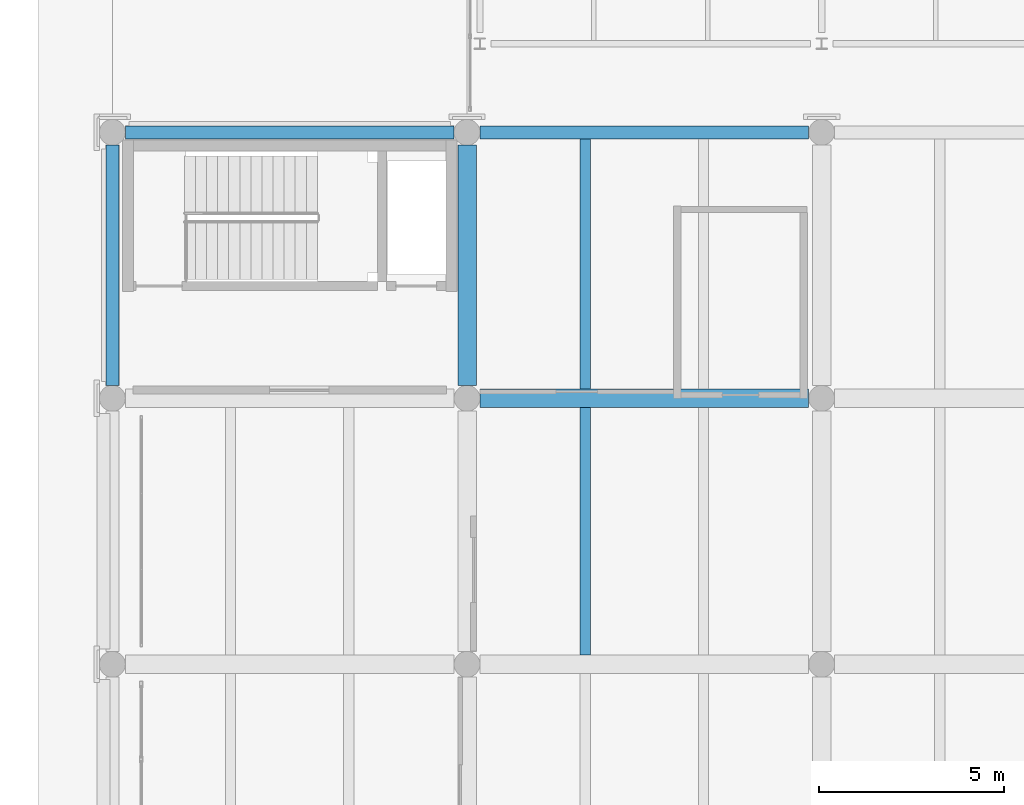
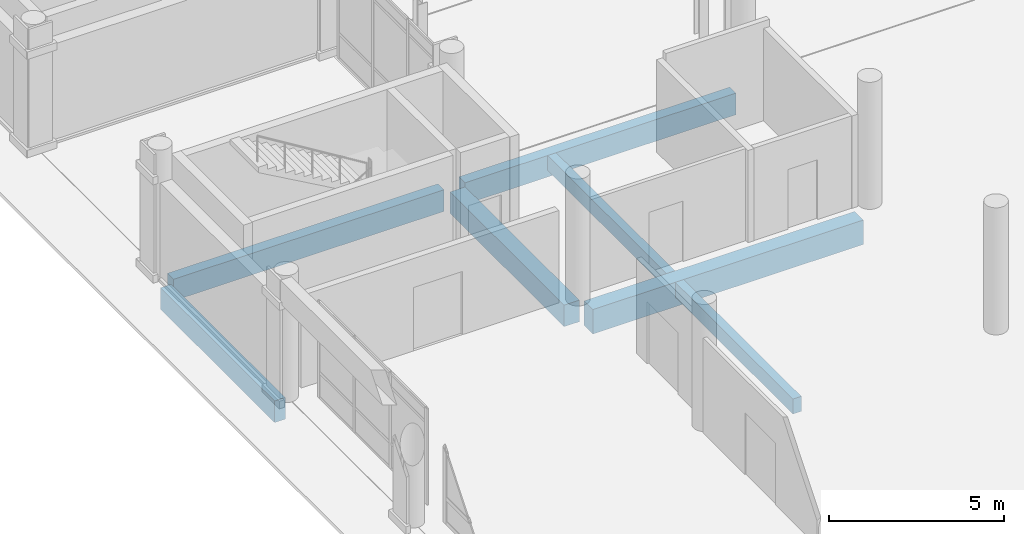
# One storey, part 29 of 196: 7 beams.
"""IFC4 building model written with IfcOpenShell, lengths in metres."""

from ifc_helpers import new_model, si_unit, direction, frame, origin, origin_2d, place, context, subcontext, project, spatial, rectangle, extrude, material, material_profile, profile_set, type_object, element, save


model = new_model("IFC4")

# Units and contexts
model_context = context("Model", 3, precision=1e-05, world=origin(), true_north=direction((0.0, 1.0)))
body_context = subcontext(model_context, "Body", "Model", "MODEL_VIEW")
ifc_project = project(units=[si_unit("LENGTHUNIT", "METRE"), si_unit("AREAUNIT", "SQUARE_METRE"), si_unit("VOLUMEUNIT", "CUBIC_METRE"), si_unit("PLANEANGLEUNIT", "RADIAN"), si_unit("MASSUNIT", "GRAM", prefix="KILO")], contexts=[model_context])

# Site, building, storey
site_placement = place(None, origin())
site = spatial("IfcSite", under=ifc_project, at=site_placement, CompositionType="ELEMENT")
building_placement = place(site_placement, origin())
building = spatial("IfcBuilding", under=site, at=building_placement, Name="Asteropetra Specialist Clinic", CompositionType="ELEMENT")
storey_placement = place(building_placement, origin())
storey = spatial("IfcBuildingStorey", under=building, at=storey_placement, Name="L00", CompositionType="ELEMENT", Elevation=0.0)

# Beams
ifc_material_1 = material(Name="Concrete C35/45", Category="concrete")
ifc_material_profile_1 = material_profile(ifc_material_1, rectangle(XDim=0.5, YDim=0.75, at=origin_2d()), Name="RCB 500x750")
ifc_profile_set_1 = profile_set([ifc_material_profile_1], Name="Concrete C35/45")
beam_type_1 = type_object("IfcBeamType", Name="BM-RC500x750", PredefinedType="BEAM", material=ifc_profile_set_1)
beam_1_placement = place(storey_placement, frame((9.60009765625, 19.550048828125, -0.715087890625), z_axis=(0.0, 1.0, 0.0), x_axis=(-1.0, 0.0, 0.0)))
element("IfcBeam", 1, at=beam_1_placement, inside=storey, type_object=beam_type_1, Name="Beam BBM04-0089", PredefinedType="BEAM", context=body_context, shape_type="SweptSolid", body=[
    extrude(rectangle(XDim=0.5, YDim=0.75, at=origin_2d()), origin(), (0.0, 0.0, 1.0), 6.5),
])
ifc_material_2 = material(Name="Concrete C35/45", Category="concrete")
ifc_material_profile_2 = material_profile(ifc_material_2, rectangle(XDim=0.5, YDim=0.85009765625, at=origin_2d()), Name="RCB 500x850")
ifc_profile_set_2 = profile_set([ifc_material_profile_2], Name="Concrete C35/45")
beam_type_2 = type_object("IfcBeamType", Name="BM-RC500x850", PredefinedType="BEAM", material=ifc_profile_set_2)
beam_2_placement = place(storey_placement, frame((9.949951171875, 19.199951171875, -0.764892578125), z_axis=(1.0, 0.0, 0.0), x_axis=(0.0, 1.0, 0.0)))
element("IfcBeam", 2, at=beam_2_placement, inside=storey, type_object=beam_type_2, Name="Beam BBM03-0020", PredefinedType="BEAM", context=body_context, shape_type="SweptSolid", body=[
    extrude(rectangle(XDim=0.5, YDim=0.85009765625, at=origin_2d()), origin(), (0.0, 0.0, 1.0), 8.900146484375),
])
ifc_material_3 = material(Name="Concrete C35/45", Category="concrete")
ifc_material_profile_3 = material_profile(ifc_material_3, rectangle(XDim=0.280029296875, YDim=0.52001953125, at=origin_2d()), Name="RCJ 280x520")
ifc_profile_set_3 = profile_set([ifc_material_profile_3], Name="Concrete C35/45")
beam_type_3 = type_object("IfcBeamType", Name="JST-RC280x520", PredefinedType="JOIST", material=ifc_profile_set_3)
beam_3_placement = place(storey_placement, frame((12.800048828125, 12.25, -0.60009765625), z_axis=(0.0, 1.0, 0.0), x_axis=(-1.0, 0.0, 0.0)))
element("IfcBeam", 3, at=beam_3_placement, inside=storey, type_object=beam_type_3, Name="Joist JJST01-0078", PredefinedType="JOIST", context=body_context, shape_type="SweptSolid", body=[
    extrude(rectangle(XDim=0.280029296875, YDim=0.52001953125, at=origin_2d()), origin(), (0.0, 0.0, 1.0), 6.699951171875),
])
beam_4_placement = place(storey_placement, frame((12.800048828125, 19.449951171875, -0.60009765625), z_axis=(0.0, 1.0, 0.0), x_axis=(-1.0, 0.0, 0.0)))
element("IfcBeam", 4, at=beam_4_placement, inside=storey, type_object=beam_type_3, Name="Joist JJST01-0095", PredefinedType="JOIST", context=body_context, shape_type="SweptSolid", body=[
    extrude(rectangle(XDim=0.280029296875, YDim=0.52001953125, at=origin_2d()), origin(), (0.0, 0.0, 1.0), 6.775146484375),
])
ifc_material_4 = material(Name="Concrete C35/45", Category="concrete")
ifc_material_profile_4 = material_profile(ifc_material_4, rectangle(XDim=0.35009765625, YDim=0.75, at=origin_2d()), Name="RCS 350x750")
ifc_profile_set_4 = profile_set([ifc_material_profile_4], Name="Concrete C35/45")
beam_type_4 = type_object("IfcBeamType", Name="SPN-RC350x750", PredefinedType="SPANDREL", material=ifc_profile_set_4)
beam_5_placement = place(storey_placement, frame((0.35009765625, 26.39990234375, -0.715087890625), z_axis=(1.0, 0.0, 0.0), x_axis=(0.0, 1.0, 0.0)))
element("IfcBeam", 5, at=beam_5_placement, inside=storey, type_object=beam_type_4, Name="Beam BSPN01-0025", PredefinedType="SPANDREL", context=body_context, shape_type="SweptSolid", body=[
    extrude(rectangle(XDim=0.35009765625, YDim=0.75, at=origin_2d()), origin(), (0.0, 0.0, 1.0), 8.89990234375),
])
beam_6_placement = place(storey_placement, frame((9.949951171875, 26.39990234375, -0.715087890625), z_axis=(1.0, 0.0, 0.0), x_axis=(0.0, 1.0, 0.0)))
element("IfcBeam", 6, at=beam_6_placement, inside=storey, type_object=beam_type_4, Name="Beam BSPN01-0026", PredefinedType="SPANDREL", context=body_context, shape_type="SweptSolid", body=[
    extrude(rectangle(XDim=0.35009765625, YDim=0.75, at=origin_2d()), origin(), (0.0, 0.0, 1.0), 8.900146484375),
])
beam_7_placement = place(storey_placement, frame((0.0, 19.550048828125, -0.715087890625), z_axis=(0.0, 1.0, 0.0), x_axis=(-1.0, 0.0, 0.0)))
element("IfcBeam", 7, at=beam_7_placement, inside=storey, type_object=beam_type_4, Name="Beam BSPN01-0088", PredefinedType="SPANDREL", context=body_context, shape_type="SweptSolid", body=[
    extrude(rectangle(XDim=0.35009765625, YDim=0.75, at=origin_2d()), origin(), (0.0, 0.0, 1.0), 6.5),
])

save(model, "model.ifc")
